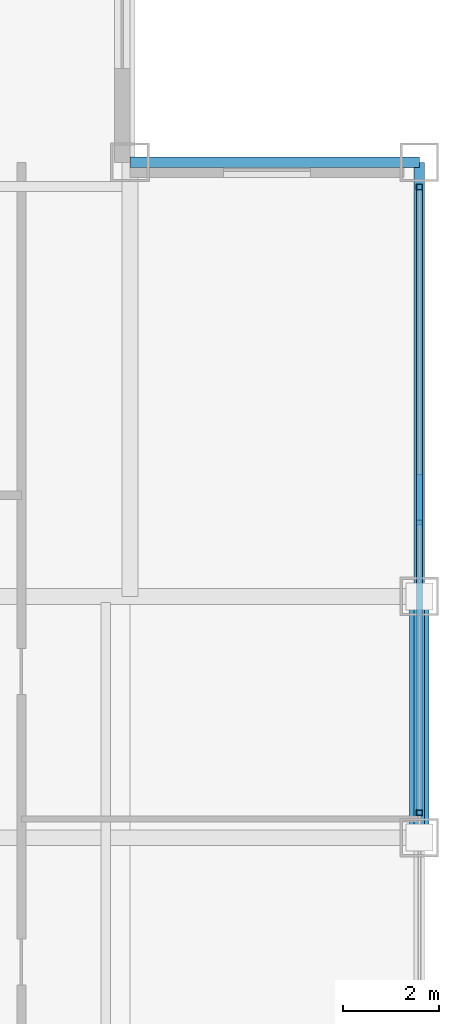
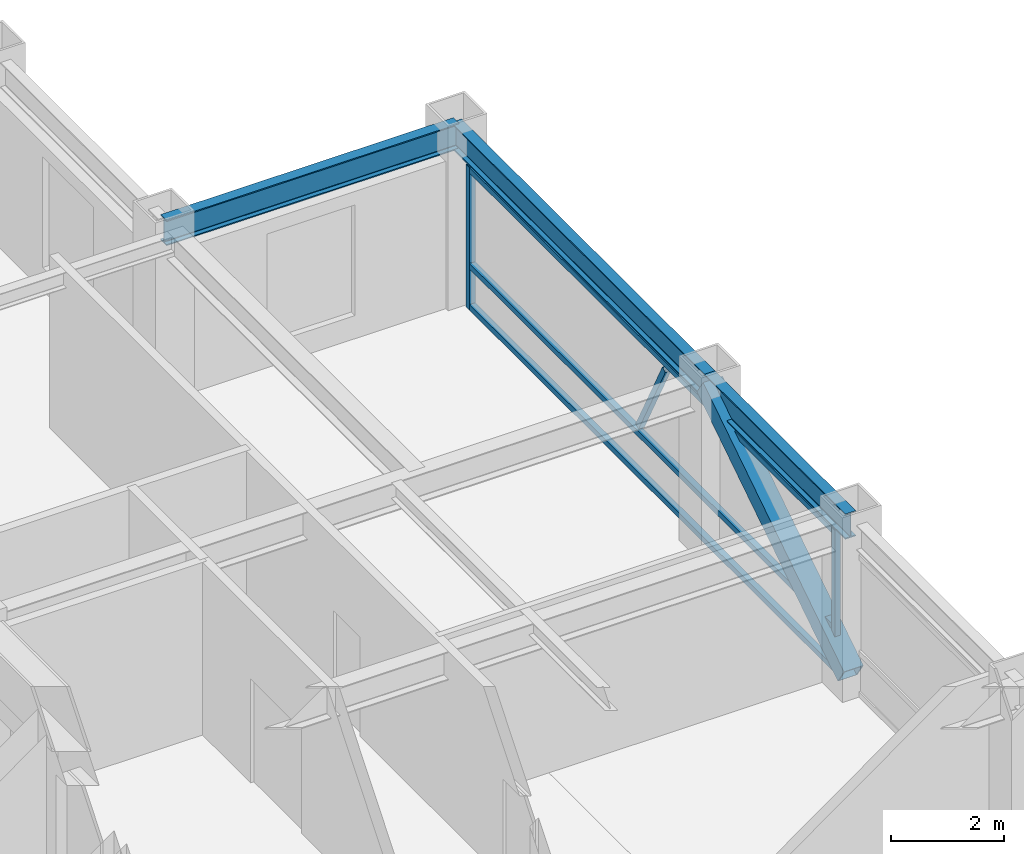
# One storey, part 22 of 29: 7 members, 3 beams, 1 element without a shape of its own.
"""IFC4 building model written with IfcOpenShell, lengths in metres."""

from ifc_helpers import new_model, si_unit, direction, frame, origin, origin_2d, place, context, subcontext, project, spatial, hollow_rectangle, i_section, extrude, source, transform, mapped, material, material_profile, profile_set, type_object, element, aggregate, save


model = new_model("IFC4")

# Units and contexts
model_context = context("Model", 3, precision=1e-05, world=origin(), true_north=direction((0.0, 1.0)))
body_context = subcontext(model_context, "Body", "Model", "MODEL_VIEW")
ifc_project = project(units=[si_unit("LENGTHUNIT", "METRE"), si_unit("AREAUNIT", "SQUARE_METRE"), si_unit("VOLUMEUNIT", "CUBIC_METRE"), si_unit("PLANEANGLEUNIT", "RADIAN"), si_unit("MASSUNIT", "GRAM", prefix="KILO")], contexts=[model_context])

# Site, building, storey
site_placement = place(None, origin())
site = spatial("IfcSite", under=ifc_project, at=site_placement, CompositionType="ELEMENT")
building_placement = place(site_placement, origin())
building = spatial("IfcBuilding", under=site, at=building_placement, Name="Khorayat Bourse Tower", CompositionType="ELEMENT")
storey_placement = place(building_placement, frame((0.0, 0.0, 350.300048828125)))
storey = spatial("IfcBuildingStorey", under=building, at=storey_placement, Name="L83", CompositionType="ELEMENT", Elevation=350.300048828125)

# Beams
ifc_material_1 = material(Name="Steel ASTM A992 Grade 50", Category="steel")
ifc_material_profile_1 = material_profile(ifc_material_1, i_section(OverallWidth=0.214111328125, OverallDepth=0.549072265625, WebThickness=0.0146484375, FlangeThickness=0.023681640625, FilletRadius=0.013916015625, at=origin_2d()), Name="W530X138")
ifc_profile_set_1 = profile_set([ifc_material_profile_1], Name="Steel ASTM A992 Grade 50")
beam_type = type_object("IfcBeamType", Name="BM-SPAN-530", PredefinedType="SPANDREL", material=ifc_profile_set_1)
shared_shape_1 = source(origin(), body_context, "Body", "SweptSolid", [
    extrude(i_section(OverallWidth=0.214111328125, OverallDepth=0.549072265625, WebThickness=0.0146484375, FlangeThickness=0.023681640625, FilletRadius=0.013916015625, at=origin_2d()), origin(), (0.0, 0.0, 1.0), 9.0),
])
beam_1_placement = place(storey_placement, frame((26.0, 11.0, 3.46533203125), z_axis=(0.0, 1.0, 0.0), x_axis=(-1.0, 0.0, 0.0)))
element("IfcBeam", 1, at=beam_1_placement, inside=storey, type_object=beam_type, Name="L83 BM-SPAN-530 BM-L83-SPN-034", PredefinedType="SPANDREL", context=body_context, shape_type="MappedRepresentation", body=[
    mapped(shared_shape_1, transform((0.0, 0.0, 0.0), scale=1.0)),
])
shared_shape_2 = source(origin(), body_context, "Body", "SweptSolid", [
    extrude(i_section(OverallWidth=0.214111328125, OverallDepth=0.549072265625, WebThickness=0.0146484375, FlangeThickness=0.023681640625, FilletRadius=0.013916015625, at=origin_2d()), origin(), (0.0, 0.0, 1.0), 5.0),
])
beam_2_placement = place(storey_placement, frame((26.0, 6.0, 3.46533203125), z_axis=(0.0, 1.0, 0.0), x_axis=(-1.0, 0.0, 0.0)))
element("IfcBeam", 2, at=beam_2_placement, inside=storey, type_object=beam_type, Name="L83 BM-SPAN-530 BM-L83-SPN-033", PredefinedType="SPANDREL", context=body_context, shape_type="MappedRepresentation", body=[
    mapped(shared_shape_2, transform((0.0, 0.0, 0.0), scale=1.0)),
])
shared_shape_3 = source(origin(), body_context, "Body", "SweptSolid", [
    extrude(i_section(OverallWidth=0.214111328125, OverallDepth=0.549072265625, WebThickness=0.0146484375, FlangeThickness=0.023681640625, FilletRadius=0.013916015625, at=origin_2d()), origin(), (0.0, 0.0, 1.0), 6.0),
])
beam_3_placement = place(storey_placement, frame((20.0, 20.0, 3.46533203125), z_axis=(1.0, 0.0, 0.0), x_axis=(0.0, 1.0, 0.0)))
element("IfcBeam", 3, at=beam_3_placement, inside=storey, type_object=beam_type, Name="L83 BM-SPAN-530 BM-L83-SPN-035", PredefinedType="SPANDREL", context=body_context, shape_type="MappedRepresentation", body=[
    mapped(shared_shape_3, transform((0.0, 0.0, 0.0), scale=1.0)),
])

# Member
ifc_material_2 = material(Name="Steel EN 10025-4 S460M", Category="steel")
ifc_material_profile_2 = material_profile(ifc_material_2, hollow_rectangle(XDim=0.39990234375, YDim=0.39990234375, WallThickness=0.02197265625, at=origin_2d()), Name="HSS 400x400x22")
ifc_profile_set_2 = profile_set([ifc_material_profile_2], Name="Steel EN 10025-4 S460M")
member_type_1 = type_object("IfcMemberType", Name="MBR-TUBE-400", PredefinedType="BRACE", material=ifc_profile_set_2)
shared_shape_4 = source(origin(), body_context, "Body", "SweptSolid", [
    extrude(hollow_rectangle(XDim=0.39990234375, YDim=0.39990234375, WallThickness=0.02197265625, at=origin_2d()), origin(), (0.0, 0.0, 1.0), 5.9580078125),
])
member_1_placement = place(storey_placement, frame((26.0, 6.0, 0.25), z_axis=(0.0, 0.839210474455, 0.543806748364), x_axis=(-1.0, 0.0, 0.0)))
element("IfcMember", 4, at=member_1_placement, inside=storey, type_object=member_type_1, Name="L83 Perimeter Tube Brace 08", PredefinedType="BRACE", context=body_context, shape_type="MappedRepresentation", body=[
    mapped(shared_shape_4, transform((0.0, 0.0, 0.0), scale=1.0)),
])

# Curtain wall, members
ifc_material_3 = material(Name="Aluminium EN AW-6063 T6", Category="aluminium")
curtain_wall_type = type_object("IfcCurtainWallType", Name="CW-SYS-06", PredefinedType="NOTDEFINED", material=ifc_material_3)
curtain_wall_placement = place(storey_placement, origin())
curtain_wall = element("IfcCurtainWall", 5, at=curtain_wall_placement, inside=storey, type_object=curtain_wall_type, Name="L83 Curtain Wall CW-L83-E1", PredefinedType="NOTDEFINED")
ifc_material_profile_3 = material_profile(ifc_material_3, hollow_rectangle(XDim=0.1201171875, YDim=0.1201171875, WallThickness=0.0048828125, at=origin_2d()), Name="ALU 120x120x5")
ifc_profile_set_3 = profile_set([ifc_material_profile_3], Name="Aluminium EN AW-6063 T6")
member_type_2 = type_object("IfcMemberType", Name="CWM-VERT-120", PredefinedType="MULLION", material=ifc_profile_set_3)
shared_shape_5 = source(origin(), body_context, "Body", "SweptSolid", [
    extrude(hollow_rectangle(XDim=0.1201171875, YDim=0.1201171875, WallThickness=0.0048828125, at=origin_2d()), origin(), (0.0, 0.0, 1.0), 3.08984375),
])
member_2_placement = place(storey_placement, frame((26.0, 6.5166015625, 0.0), z_axis=(0.0, 0.0, 1.0), x_axis=(-1.0, 0.0, 0.0)))
member_2 = element("IfcMember", 6, at=member_2_placement, type_object=member_type_2, Name="CW-L83-E1 Vertical Mullion 3", PredefinedType="MULLION", context=body_context, shape_type="MappedRepresentation", body=[
    mapped(shared_shape_5, transform((0.0, 0.0, 0.0), scale=1.0)),
])
member_3_placement = place(storey_placement, frame((26.0, 19.489990234375, 0.0), z_axis=(0.0, 0.0, 1.0), x_axis=(-1.0, 0.0, 0.0)))
member_3 = element("IfcMember", 7, at=member_3_placement, type_object=member_type_2, Name="CW-L83-E1 Vertical Mullion 4", PredefinedType="MULLION", context=body_context, shape_type="MappedRepresentation", body=[
    mapped(shared_shape_5, transform((0.0, 0.0, 0.0), scale=1.0)),
])
ifc_material_profile_4 = material_profile(ifc_material_3, hollow_rectangle(XDim=0.1201171875, YDim=0.1201171875, WallThickness=0.0048828125, at=origin_2d()), Name="ALU 120x120x5")
ifc_profile_set_4 = profile_set([ifc_material_profile_4], Name="Aluminium EN AW-6063 T6")
member_type_3 = type_object("IfcMemberType", Name="CWM-DIAG-120", PredefinedType="MULLION", material=ifc_profile_set_4)
shared_shape_6 = source(origin(), body_context, "Body", "SweptSolid", [
    extrude(hollow_rectangle(XDim=0.1201171875, YDim=0.1201171875, WallThickness=0.0048828125, at=origin_2d()), origin(), (0.0, 0.0, 1.0), 2.0341796875),
])
member_4_placement = place(storey_placement, frame((26.0, 13.47705078125, 1.08984375), z_axis=(0.0, -0.465790950955, 0.884894790361), x_axis=(1.0, 0.0, 0.0)))
member_4 = element("IfcMember", 8, at=member_4_placement, type_object=member_type_3, Name="CW-L83-E1 Faceted Diagonal Mullion 3", PredefinedType="MULLION", context=body_context, shape_type="MappedRepresentation", body=[
    mapped(shared_shape_6, transform((0.0, 0.0, 0.0), scale=1.0)),
])
ifc_material_profile_5 = material_profile(ifc_material_3, hollow_rectangle(XDim=0.1201171875, YDim=0.1201171875, WallThickness=0.0048828125, at=origin_2d()), Name="ALU 120x120x5")
ifc_profile_set_5 = profile_set([ifc_material_profile_5], Name="Aluminium EN AW-6063 T6")
member_type_4 = type_object("IfcMemberType", Name="CWT-HORZ-120", PredefinedType="USERDEFINED", material=ifc_profile_set_5)
shared_shape_7 = source(origin(), body_context, "Body", "SweptSolid", [
    extrude(hollow_rectangle(XDim=0.1201171875, YDim=0.1201171875, WallThickness=0.0048828125, at=origin_2d()), origin(), (0.0, 0.0, 1.0), 12.853271484375),
])
member_5_placement = place(storey_placement, frame((26.0, 6.57666015625, 0.06005859375), z_axis=(0.0, 1.0, 0.0), x_axis=(-1.0, 0.0, 0.0)))
member_5 = element("IfcMember", 9, at=member_5_placement, type_object=member_type_4, Name="CW-L83-E1 Horizontal Transom 3-1", ObjectType="TRANSOM", PredefinedType="USERDEFINED", context=body_context, shape_type="MappedRepresentation", body=[
    mapped(shared_shape_7, transform((0.0, 0.0, 0.0), scale=1.0)),
])
member_6_placement = place(storey_placement, frame((26.0, 6.57666015625, 0.949951171875), z_axis=(0.0, 1.0, 0.0), x_axis=(-1.0, 0.0, 0.0)))
member_6 = element("IfcMember", 10, at=member_6_placement, type_object=member_type_4, Name="CW-L83-E1 Horizontal Transom 3-2", ObjectType="TRANSOM", PredefinedType="USERDEFINED", context=body_context, shape_type="MappedRepresentation", body=[
    mapped(shared_shape_7, transform((0.0, 0.0, 0.0), scale=1.0)),
])
member_7_placement = place(storey_placement, frame((26.0, 6.57666015625, 3.030029296875), z_axis=(0.0, 1.0, 0.0), x_axis=(-1.0, 0.0, 0.0)))
member_7 = element("IfcMember", 11, at=member_7_placement, type_object=member_type_4, Name="CW-L83-E1 Horizontal Transom 3-3", ObjectType="TRANSOM", PredefinedType="USERDEFINED", context=body_context, shape_type="MappedRepresentation", body=[
    mapped(shared_shape_7, transform((0.0, 0.0, 0.0), scale=1.0)),
])
aggregate(curtain_wall, [member_2, member_3, member_5, member_6, member_7, member_4])

save(model, "model.ifc")
